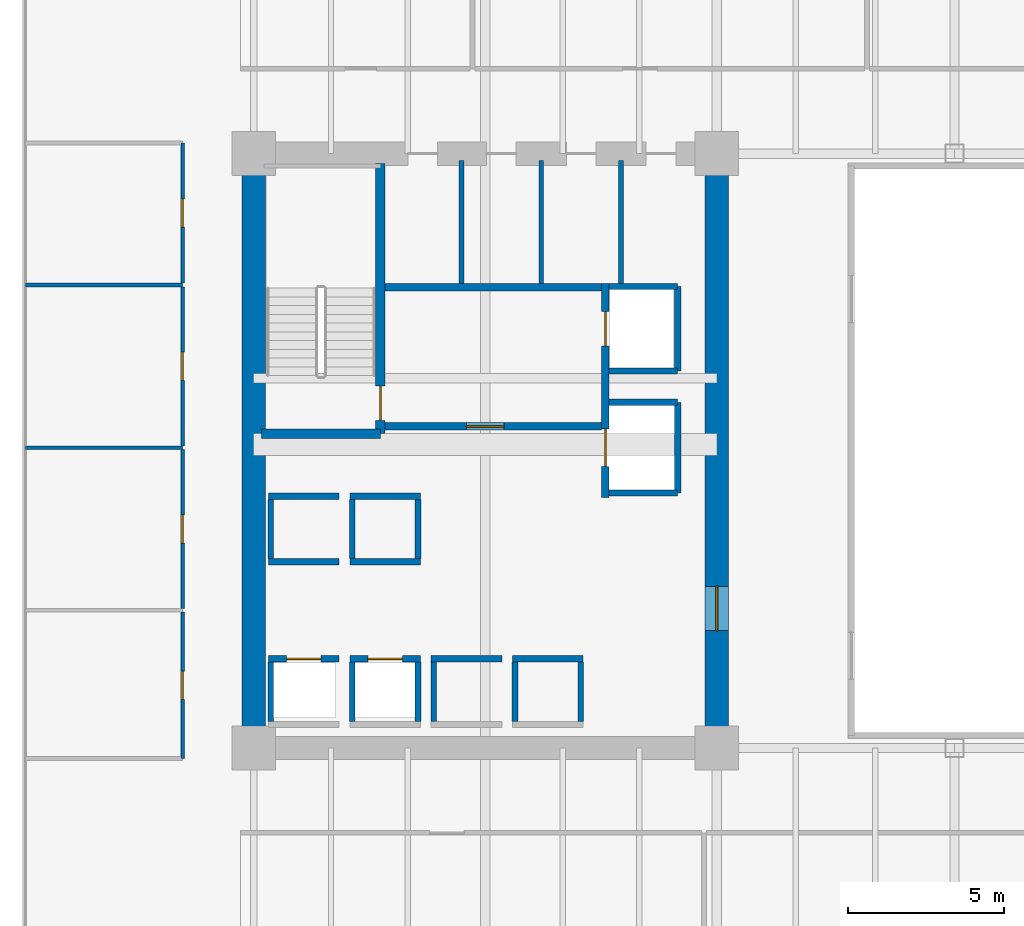
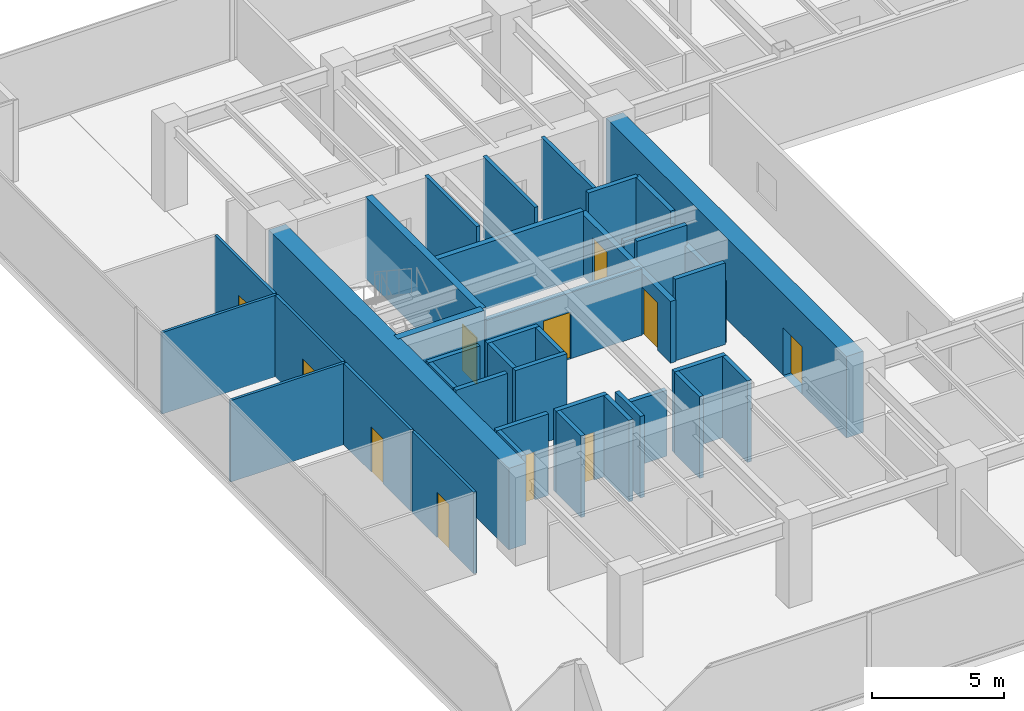
# One storey, part 29 of 36: 39 walls, 11 doors, 11 openings.
"""IFC4 building model written with IfcOpenShell, lengths in metres."""

from ifc_helpers import new_model, si_unit, direction, frame, frame_2d, origin, place, context, subcontext, project, spatial, rectangle, extrude, source, transform, mapped, material, layer, layer_set, type_object, type_shapes, element, fill, save


model = new_model("IFC4")

# Units and contexts
model_context = context("Model", 3, precision=1e-05, world=origin(), true_north=direction((0.0, 1.0)))
body_context = subcontext(model_context, "Body", "Model", "MODEL_VIEW")
ifc_project = project(units=[si_unit("LENGTHUNIT", "METRE"), si_unit("AREAUNIT", "SQUARE_METRE"), si_unit("VOLUMEUNIT", "CUBIC_METRE"), si_unit("PLANEANGLEUNIT", "RADIAN"), si_unit("MASSUNIT", "GRAM", prefix="KILO")], contexts=[model_context])

# Site, building, storey
site_placement = place(None, origin())
site = spatial("IfcSite", under=ifc_project, at=site_placement, CompositionType="ELEMENT")
building_placement = place(site_placement, origin())
building = spatial("IfcBuilding", under=site, at=building_placement, Name="Haelvirn Gate Laboratories", CompositionType="ELEMENT")
storey_placement = place(building_placement, frame((0.0, 0.0, 49.800048828125)))
storey = spatial("IfcBuildingStorey", under=building, at=storey_placement, Name="L12", CompositionType="ELEMENT", Elevation=49.800048828125)

# Wall, opening, door
ifc_material_1 = material(Name="Lightweight acoustic gypsum board partition", Category="gypsum")
ifc_layer_1 = layer(ifc_material_1, 0.1201171875, Name="IW-PART-120")
ifc_layer_set_1 = layer_set([ifc_layer_1], Name="Lightweight acoustic gypsum board partition")
wall_type_1 = type_object("IfcWallType", Name="IW-PART-120", PredefinedType="PARTITIONING", material=ifc_layer_set_1)
wall_1_placement = place(storey_placement, frame((5.1298828125, 14.465087890625, 0.0), z_axis=(0.0, 0.0, 1.0), x_axis=(0.0, 1.0, 0.0)))
wall_1 = element("IfcWall", 1, at=wall_1_placement, inside=storey, type_object=wall_type_1, Name="L12 Interior Wall IW-L12-WPASS-01", PredefinedType="PARTITIONING", context=body_context, shape_type="SweptSolid", body=[
    extrude(rectangle(XDim=4.6748046875, YDim=0.1201171875, at=frame_2d((2.33740234375, 0.0))), origin(), (0.0, 0.0, 1.0), 3.780029296875),
])
opening_1_placement = place(wall_1_placement, frame((1.887451171875, 0.0, 0.0)))
opening_1 = element("IfcOpeningElement", 2, at=opening_1_placement, cuts=wall_1, Name="Opening D4", PredefinedType="OPENING", context=body_context, shape_type="SweptSolid", body=[
    extrude(rectangle(XDim=0.89990234375, YDim=2.10009765625, at=frame_2d((0.449951171875, 1.050048828125))), frame((0.0, 0.070068359375, 0.0), z_axis=(0.0, -1.0, 0.0), x_axis=(1.0, 0.0, 0.0)), (0.0, 0.0, 1.0), 0.14013671875),
])
ifc_material_2 = material(Name="Glazed aluminium-framed write-up door", Category="aluminium")
door_type_1 = type_object("IfcDoorType", Name="DR-OFF-900", OperationType="NOTDEFINED", PredefinedType="DOOR", material=ifc_material_2)
shared_shape_1 = source(origin(), body_context, "Body", "SweptSolid", [
    extrude(rectangle(XDim=0.89990234375, YDim=2.10009765625, at=frame_2d((0.449951171875, 1.050048828125))), frame((0.0, 0.02490234375, 0.0), z_axis=(0.0, -1.0, 0.0), x_axis=(1.0, 0.0, 0.0)), (0.0, 0.0, 1.0), 0.050048828125),
])
type_shapes(door_type_1, [shared_shape_1])
door_1_placement = place(opening_1_placement, origin())
door_1 = element("IfcDoor", 3, at=door_1_placement, inside=storey, type_object=door_type_1, Name="L12 Proteomics Mass-Spec Laboratory Door W1", OperationType="SINGLE_SWING_LEFT", OverallHeight=2.10009765625, OverallWidth=0.89990234375, PredefinedType="DOOR", context=body_context, shape_type="MappedRepresentation", body=[
    mapped(shared_shape_1, transform((0.0, 0.0, 0.0), scale=1.0)),
])
fill(opening_1, door_1)

wall_2_placement = place(storey_placement, frame((5.1298828125, 19.260009765625, 0.0), z_axis=(0.0, 0.0, 1.0), x_axis=(0.0, 1.0, 0.0)))
wall_2 = element("IfcWall", 4, at=wall_2_placement, inside=storey, type_object=wall_type_1, Name="L12 Interior Wall IW-L12-WPASS-02", PredefinedType="PARTITIONING", context=body_context, shape_type="SweptSolid", body=[
    extrude(rectangle(XDim=5.080078125, YDim=0.1201171875, at=frame_2d((2.5400390625, 0.0))), origin(), (0.0, 0.0, 1.0), 3.780029296875),
])
opening_2_placement = place(wall_2_placement, frame((2.090087890625, 0.0, 0.0)))
opening_2 = element("IfcOpeningElement", 5, at=opening_2_placement, cuts=wall_2, Name="Opening D4", PredefinedType="OPENING", context=body_context, shape_type="SweptSolid", body=[
    extrude(rectangle(XDim=0.89990234375, YDim=2.10009765625, at=frame_2d((0.449951171875, 1.050048828125))), frame((0.0, 0.070068359375, 0.0), z_axis=(0.0, -1.0, 0.0), x_axis=(1.0, 0.0, 0.0)), (0.0, 0.0, 1.0), 0.14013671875),
])
door_2_placement = place(opening_2_placement, origin())
door_2 = element("IfcDoor", 6, at=door_2_placement, inside=storey, type_object=door_type_1, Name="L12 Chemical Synthesis Laboratory Door W2", OperationType="SINGLE_SWING_RIGHT", OverallHeight=2.10009765625, OverallWidth=0.89990234375, PredefinedType="DOOR", context=body_context, shape_type="MappedRepresentation", body=[
    mapped(shared_shape_1, transform((0.0, 0.0, 0.0), scale=1.0)),
])
fill(opening_2, door_2)

# Wall
wall_3_placement = place(storey_placement, frame((0.110107421875, 24.39990234375, 0.0), z_axis=(0.0, 0.0, 1.0), x_axis=(1.0, 0.0, 0.0)))
element("IfcWall", 7, at=wall_3_placement, inside=storey, type_object=wall_type_1, Name="L12 Interior Wall IW-L12-WDIV-02", PredefinedType="PARTITIONING", context=body_context, shape_type="SweptSolid", body=[
    extrude(rectangle(XDim=5.019775390625, YDim=0.1201171875, at=frame_2d((2.509765625, 0.0))), origin(), (0.0, 0.0, 1.0), 3.780029296875),
])

# Wall, opening, door
wall_4_placement = place(storey_placement, frame((5.1298828125, 24.4599609375, 0.0), z_axis=(0.0, 0.0, 1.0), x_axis=(0.0, 1.0, 0.0)))
wall_4 = element("IfcWall", 8, at=wall_4_placement, inside=storey, type_object=wall_type_1, Name="L12 Interior Wall IW-L12-WPASS-03", PredefinedType="PARTITIONING", context=body_context, shape_type="SweptSolid", body=[
    extrude(rectangle(XDim=5.080078125, YDim=0.1201171875, at=frame_2d((2.5400390625, 0.0))), origin(), (0.0, 0.0, 1.0), 3.780029296875),
])
opening_3_placement = place(wall_4_placement, frame((2.090087890625, 0.0, 0.0)))
opening_3 = element("IfcOpeningElement", 9, at=opening_3_placement, cuts=wall_4, Name="Opening D4", PredefinedType="OPENING", context=body_context, shape_type="SweptSolid", body=[
    extrude(rectangle(XDim=0.89990234375, YDim=2.10009765625, at=frame_2d((0.449951171875, 1.050048828125))), frame((0.0, 0.070068359375, 0.0), z_axis=(0.0, -1.0, 0.0), x_axis=(1.0, 0.0, 0.0)), (0.0, 0.0, 1.0), 0.14013671875),
])
door_3_placement = place(opening_3_placement, origin())
door_3 = element("IfcDoor", 10, at=door_3_placement, inside=storey, type_object=door_type_1, Name="L12 Bioprocess Foundry Laboratory Door W3", OperationType="SINGLE_SWING_LEFT", OverallHeight=2.10009765625, OverallWidth=0.89990234375, PredefinedType="DOOR", context=body_context, shape_type="MappedRepresentation", body=[
    mapped(shared_shape_1, transform((0.0, 0.0, 0.0), scale=1.0)),
])
fill(opening_3, door_3)

# Wall
wall_5_placement = place(storey_placement, frame((0.110107421875, 29.60009765625, 0.0), z_axis=(0.0, 0.0, 1.0), x_axis=(1.0, 0.0, 0.0)))
element("IfcWall", 11, at=wall_5_placement, inside=storey, type_object=wall_type_1, Name="L12 Interior Wall IW-L12-WDIV-03", PredefinedType="PARTITIONING", context=body_context, shape_type="SweptSolid", body=[
    extrude(rectangle(XDim=5.019775390625, YDim=0.1201171875, at=frame_2d((2.509765625, 0.0))), origin(), (0.0, 0.0, 1.0), 3.780029296875),
])

# Wall, opening, door
wall_6_placement = place(storey_placement, frame((5.1298828125, 29.659912109375, 0.0), z_axis=(0.0, 0.0, 1.0), x_axis=(0.0, 1.0, 0.0)))
wall_6 = element("IfcWall", 12, at=wall_6_placement, inside=storey, type_object=wall_type_1, Name="L12 Interior Wall IW-L12-WPASS-04", PredefinedType="PARTITIONING", context=body_context, shape_type="SweptSolid", body=[
    extrude(rectangle(XDim=4.47509765625, YDim=0.1201171875, at=frame_2d((2.237548828125, 0.0))), origin(), (0.0, 0.0, 1.0), 3.780029296875),
])
opening_4_placement = place(wall_6_placement, frame((1.78759765625, 0.0, 0.0)))
opening_4 = element("IfcOpeningElement", 13, at=opening_4_placement, cuts=wall_6, Name="Opening D4", PredefinedType="OPENING", context=body_context, shape_type="SweptSolid", body=[
    extrude(rectangle(XDim=0.89990234375, YDim=2.10009765625, at=frame_2d((0.449951171875, 1.050048828125))), frame((0.0, 0.070068359375, 0.0), z_axis=(0.0, -1.0, 0.0), x_axis=(1.0, 0.0, 0.0)), (0.0, 0.0, 1.0), 0.14013671875),
])
door_4_placement = place(opening_4_placement, origin())
door_4 = element("IfcDoor", 14, at=door_4_placement, inside=storey, type_object=door_type_1, Name="L12 Genomics Assay Laboratory Door W4", OperationType="SINGLE_SWING_RIGHT", OverallHeight=2.10009765625, OverallWidth=0.89990234375, PredefinedType="DOOR", context=body_context, shape_type="MappedRepresentation", body=[
    mapped(shared_shape_1, transform((0.0, 0.0, 0.0), scale=1.0)),
])
fill(opening_4, door_4)

# Walls
ifc_material_3 = material(Name="Cement-board restroom plumbing chase wall", Category="gypsum")
ifc_layer_2 = layer(ifc_material_3, 0.155029296875, Name="IW-PLUMB-160")
ifc_layer_set_2 = layer_set([ifc_layer_2], Name="Cement-board restroom plumbing chase wall")
wall_type_2 = type_object("IfcWallType", Name="IW-PLUMB-160", PredefinedType="PLUMBINGWALL", material=ifc_layer_set_2)
for number, where, z_axis, x_axis, name in (
    (15, (14.0400390625, 29.64990234375, 0.0), (0.0, 0.0, 1.0), (0.0, 1.0, 0.0), "L12 Interior Wall IW-L12-W-CDIV-1"),
    (16, (16.590087890625, 29.64990234375, 0.0), (0.0, 0.0, 1.0), (0.0, 1.0, 0.0), "L12 Interior Wall IW-L12-W-CDIV-2"),
    (17, (19.139892578125, 29.64990234375, 0.0), (0.0, 0.0, 1.0), (0.0, 1.0, 0.0), "L12 Interior Wall IW-L12-W-CDIV-3"),
):
    element("IfcWall", number, at=place(storey_placement, frame(where, z_axis=z_axis, x_axis=x_axis)), inside=storey, type_object=wall_type_2, Name=name, PredefinedType="PLUMBINGWALL", context=body_context, shape_type="SweptSolid", body=[
        extrude(rectangle(XDim=3.93017578125, YDim=0.155029296875, at=frame_2d((1.965087890625, 0.0))), origin(), (0.0, 0.0, 1.0), 3.780029296875),
    ])
ifc_material_4 = material(Name="Concrete C40/50", Category="concrete")
ifc_layer_3 = layer(ifc_material_4, 0.179931640625, Name="IW-SHAFT-180")
ifc_layer_set_3 = layer_set([ifc_layer_3], Name="Concrete C40/50")
wall_type_3 = type_object("IfcWallType", Name="IW-SHAFT-180", PredefinedType="SOLIDWALL", material=ifc_layer_set_3)
for number, where, z_axis, x_axis, name in (
    (18, (7.949951171875, 15.64990234375, 0.0), (0.0, 0.0, 1.0), (0.0, 1.0, 0.0), "L12 Interior Wall IW-L12-PL1-SD"),
    (19, (10.550048828125, 15.64990234375, 0.0), (0.0, 0.0, 1.0), (0.0, 1.0, 0.0), "L12 Interior Wall IW-L12-PL2-SD"),
    (20, (12.64990234375, 15.64990234375, 0.0), (0.0, 0.0, 1.0), (0.0, 1.0, 0.0), "L12 Interior Wall IW-L12-PL2-SDE"),
    (21, (13.14990234375, 15.64990234375, 0.0), (0.0, 0.0, 1.0), (0.0, 1.0, 0.0), "L12 Interior Wall IW-L12-PL5-SD"),
    (22, (15.75, 15.64990234375, 0.0), (0.0, 0.0, 1.0), (0.0, 1.0, 0.0), "L12 Interior Wall IW-L12-PL6-SD"),
    (23, (17.85009765625, 15.64990234375, 0.0), (0.0, 0.0, 1.0), (0.0, 1.0, 0.0), "L12 Interior Wall IW-L12-PL6-SDE"),
):
    element("IfcWall", number, at=place(storey_placement, frame(where, z_axis=z_axis, x_axis=x_axis)), inside=storey, type_object=wall_type_3, Name=name, PredefinedType="SOLIDWALL", context=body_context, shape_type="SweptSolid", body=[
        extrude(rectangle(XDim=1.900146484375, YDim=0.179931640625, at=frame_2d((0.9501953125, 0.0))), origin(), (0.0, 0.0, 1.0), 3.780029296875),
    ])
for number, where, z_axis, x_axis, name in (
    (24, (7.949951171875, 20.85009765625, 0.0), (0.0, 0.0, 1.0), (0.0, 1.0, 0.0), "L12 Interior Wall IW-L12-PL9-SD"),
    (25, (10.550048828125, 20.85009765625, 0.0), (0.0, 0.0, 1.0), (0.0, 1.0, 0.0), "L12 Interior Wall IW-L12-PL10-SD"),
    (26, (12.64990234375, 20.85009765625, 0.0), (0.0, 0.0, 1.0), (0.0, 1.0, 0.0), "L12 Interior Wall IW-L12-PL10-SDE"),
):
    element("IfcWall", number, at=place(storey_placement, frame(where, z_axis=z_axis, x_axis=x_axis)), inside=storey, type_object=wall_type_3, Name=name, PredefinedType="SOLIDWALL", context=body_context, shape_type="SweptSolid", body=[
        extrude(rectangle(XDim=1.89990234375, YDim=0.179931640625, at=frame_2d((0.949951171875, 0.0))), origin(), (0.0, 0.0, 1.0), 3.780029296875),
    ])

# Wall, opening, door
ifc_layer_4 = layer(ifc_material_4, 0.199951171875, Name="IW-SHAFT-200")
ifc_layer_set_4 = layer_set([ifc_layer_4], Name="Concrete C40/50")
wall_type_4 = type_object("IfcWallType", Name="IW-SHAFT-200", PredefinedType="SOLIDWALL", material=ifc_layer_set_4)
wall_7_placement = place(storey_placement, frame((7.8701171875, 17.64990234375, 0.0), z_axis=(0.0, 0.0, 1.0), x_axis=(1.0, 0.0, 0.0)))
wall_7 = element("IfcWall", 27, at=wall_7_placement, inside=storey, type_object=wall_type_4, Name="L12 Interior Wall IW-L12-PL1-FR", PredefinedType="SOLIDWALL", context=body_context, shape_type="SweptSolid", body=[
    extrude(rectangle(XDim=2.259765625, YDim=0.199951171875, at=frame_2d((1.1298828125, 0.0))), origin(), (0.0, 0.0, 1.0), 3.780029296875),
])
opening_5_placement = place(wall_7_placement, frame((0.580078125, 0.0, 0.0)))
opening_5 = element("IfcOpeningElement", 28, at=opening_5_placement, cuts=wall_7, Name="Opening LD2", PredefinedType="OPENING", context=body_context, shape_type="SweptSolid", body=[
    extrude(rectangle(XDim=1.10009765625, YDim=2.219970703125, at=frame_2d((0.550048828125, 1.10986328125))), frame((0.0, 0.10986328125, 0.0), z_axis=(0.0, -1.0, 0.0), x_axis=(1.0, 0.0, 0.0)), (0.0, 0.0, 1.0), 0.219970703125),
])
ifc_material_5 = material(Name="Bronze stainless 316L sliding lift landing door")
door_type_2 = type_object("IfcDoorType", Name="DR-LD-1100", OperationType="NOTDEFINED", PredefinedType="USERDEFINED", material=ifc_material_5)
shared_shape_2 = source(origin(), body_context, "Body", "SweptSolid", [
    extrude(rectangle(XDim=1.10009765625, YDim=2.219970703125, at=frame_2d((0.550048828125, 1.10986328125))), frame((0.0, 0.02490234375, 0.0), z_axis=(0.0, -1.0, 0.0), x_axis=(1.0, 0.0, 0.0)), (0.0, 0.0, 1.0), 0.050048828125),
])
type_shapes(door_type_2, [shared_shape_2])
door_5_placement = place(opening_5_placement, origin())
door_5 = element("IfcDoor", 29, at=door_5_placement, inside=storey, type_object=door_type_2, Name="L12 Passenger Lift PL1 Landing Door", ObjectType="LANDING_DOOR", OperationType="SLIDING_TO_LEFT", OverallHeight=2.219970703125, OverallWidth=1.10009765625, PredefinedType="USERDEFINED", context=body_context, shape_type="MappedRepresentation", body=[
    mapped(shared_shape_2, transform((0.0, 0.0, 0.0), scale=1.0)),
])
fill(opening_5, door_5)

wall_8_placement = place(storey_placement, frame((10.469970703125, 17.64990234375, 0.0), z_axis=(0.0, 0.0, 1.0), x_axis=(1.0, 0.0, 0.0)))
wall_8 = element("IfcWall", 30, at=wall_8_placement, inside=storey, type_object=wall_type_4, Name="L12 Interior Wall IW-L12-PL2-FR", PredefinedType="SOLIDWALL", context=body_context, shape_type="SweptSolid", body=[
    extrude(rectangle(XDim=2.260009765625, YDim=0.199951171875, at=frame_2d((1.1298828125, 0.0))), origin(), (0.0, 0.0, 1.0), 3.780029296875),
])
opening_6_placement = place(wall_8_placement, frame((0.580078125, 0.0, 0.0)))
opening_6 = element("IfcOpeningElement", 31, at=opening_6_placement, cuts=wall_8, Name="Opening LD2", PredefinedType="OPENING", context=body_context, shape_type="SweptSolid", body=[
    extrude(rectangle(XDim=1.10009765625, YDim=2.219970703125, at=frame_2d((0.550048828125, 1.10986328125))), frame((0.0, 0.10986328125, 0.0), z_axis=(0.0, -1.0, 0.0), x_axis=(1.0, 0.0, 0.0)), (0.0, 0.0, 1.0), 0.219970703125),
])
door_6_placement = place(opening_6_placement, origin())
door_6 = element("IfcDoor", 32, at=door_6_placement, inside=storey, type_object=door_type_2, Name="L12 Passenger Lift PL2 Landing Door", ObjectType="LANDING_DOOR", OperationType="SLIDING_TO_RIGHT", OverallHeight=2.219970703125, OverallWidth=1.10009765625, PredefinedType="USERDEFINED", context=body_context, shape_type="MappedRepresentation", body=[
    mapped(shared_shape_2, transform((0.0, 0.0, 0.0), scale=1.0)),
])
fill(opening_6, door_6)

# Walls
wall_9_placement = place(storey_placement, frame((13.070068359375, 17.64990234375, 0.0), z_axis=(0.0, 0.0, 1.0), x_axis=(1.0, 0.0, 0.0)))
element("IfcWall", 33, at=wall_9_placement, inside=storey, type_object=wall_type_4, Name="L12 Interior Wall IW-L12-PL5-FR", PredefinedType="SOLIDWALL", context=body_context, shape_type="SweptSolid", body=[
    extrude(rectangle(XDim=2.260009765625, YDim=0.199951171875, at=frame_2d((1.1298828125, 0.0))), origin(), (0.0, 0.0, 1.0), 3.06494140625),
])
wall_10_placement = place(storey_placement, frame((15.669921875, 17.64990234375, 0.0), z_axis=(0.0, 0.0, 1.0), x_axis=(1.0, 0.0, 0.0)))
element("IfcWall", 34, at=wall_10_placement, inside=storey, type_object=wall_type_4, Name="L12 Interior Wall IW-L12-PL6-FR", PredefinedType="SOLIDWALL", context=body_context, shape_type="SweptSolid", body=[
    extrude(rectangle(XDim=2.260009765625, YDim=0.199951171875, at=frame_2d((1.1298828125, 0.0))), origin(), (0.0, 0.0, 1.0), 3.780029296875),
])
for number, where, z_axis, x_axis, name in (
    (35, (7.8701171875, 20.75, 0.0), (0.0, 0.0, 1.0), (1.0, 0.0, 0.0), "L12 Interior Wall IW-L12-PL9-FR"),
    (36, (7.8701171875, 22.85009765625, 0.0), (0.0, 0.0, 1.0), (1.0, 0.0, 0.0), "L12 Interior Wall IW-L12-PL9-BK"),
):
    element("IfcWall", number, at=place(storey_placement, frame(where, z_axis=z_axis, x_axis=x_axis)), inside=storey, type_object=wall_type_4, Name=name, PredefinedType="SOLIDWALL", context=body_context, shape_type="SweptSolid", body=[
        extrude(rectangle(XDim=2.259765625, YDim=0.199951171875, at=frame_2d((1.1298828125, 0.0))), origin(), (0.0, 0.0, 1.0), 3.780029296875),
    ])
for number, where, z_axis, x_axis, name in (
    (37, (10.469970703125, 20.75, 0.0), (0.0, 0.0, 1.0), (1.0, 0.0, 0.0), "L12 Interior Wall IW-L12-PL10-FR"),
    (38, (10.469970703125, 22.85009765625, 0.0), (0.0, 0.0, 1.0), (1.0, 0.0, 0.0), "L12 Interior Wall IW-L12-PL10-BK"),
):
    element("IfcWall", number, at=place(storey_placement, frame(where, z_axis=z_axis, x_axis=x_axis)), inside=storey, type_object=wall_type_4, Name=name, PredefinedType="SOLIDWALL", context=body_context, shape_type="SweptSolid", body=[
        extrude(rectangle(XDim=2.260009765625, YDim=0.199951171875, at=frame_2d((1.1298828125, 0.0))), origin(), (0.0, 0.0, 1.0), 3.780029296875),
    ])
wall_11_placement = place(storey_placement, frame((20.949951171875, 26.85009765625, 0.0), z_axis=(0.0, 0.0, 1.0), x_axis=(0.0, 1.0, 0.0)))
element("IfcWall", 39, at=wall_11_placement, inside=storey, type_object=wall_type_4, Name="L12 Interior Wall IW-L12-FL1-BK", PredefinedType="SOLIDWALL", context=body_context, shape_type="SweptSolid", body=[
    extrude(rectangle(XDim=2.699951171875, YDim=0.199951171875, at=frame_2d((1.35009765625, 0.0))), origin(), (0.0, 0.0, 1.0), 3.780029296875),
])
wall_12_placement = place(storey_placement, frame((18.760009765625, 29.550048828125, 0.0), z_axis=(0.0, 0.0, 1.0), x_axis=(1.0, 0.0, 0.0)))
element("IfcWall", 40, at=wall_12_placement, inside=storey, type_object=wall_type_4, Name="L12 Interior Wall IW-L12-FL1-N", PredefinedType="SOLIDWALL", context=body_context, shape_type="SweptSolid", body=[
    extrude(rectangle(XDim=2.18994140625, YDim=0.199951171875, at=frame_2d((1.094970703125, 0.0))), origin(), (0.0, 0.0, 1.0), 3.780029296875),
])
wall_13_placement = place(storey_placement, frame((18.760009765625, 26.85009765625, 0.0), z_axis=(0.0, 0.0, 1.0), x_axis=(1.0, 0.0, 0.0)))
element("IfcWall", 41, at=wall_13_placement, inside=storey, type_object=wall_type_4, Name="L12 Interior Wall IW-L12-FL1-S", PredefinedType="SOLIDWALL", context=body_context, shape_type="SweptSolid", body=[
    extrude(rectangle(XDim=2.18994140625, YDim=0.199951171875, at=frame_2d((1.094970703125, 0.0))), origin(), (0.0, 0.0, 1.0), 3.177001953125),
])
wall_14_placement = place(storey_placement, frame((20.949951171875, 22.949951171875, 0.0), z_axis=(0.0, 0.0, 1.0), x_axis=(0.0, 1.0, 0.0)))
element("IfcWall", 42, at=wall_14_placement, inside=storey, type_object=wall_type_4, Name="L12 Interior Wall IW-L12-SL1-BK", PredefinedType="SOLIDWALL", context=body_context, shape_type="SweptSolid", body=[
    extrude(rectangle(XDim=2.900146484375, YDim=0.199951171875, at=frame_2d((1.4501953125, 0.0))), origin(), (0.0, 0.0, 1.0), 2.864990234375),
])
for number, where, z_axis, x_axis, name in (
    (43, (18.760009765625, 25.85009765625, 0.0), (0.0, 0.0, 1.0), (1.0, 0.0, 0.0), "L12 Interior Wall IW-L12-SL1-N"),
    (44, (18.760009765625, 22.949951171875, 0.0), (0.0, 0.0, 1.0), (1.0, 0.0, 0.0), "L12 Interior Wall IW-L12-SL1-S"),
):
    element("IfcWall", number, at=place(storey_placement, frame(where, z_axis=z_axis, x_axis=x_axis)), inside=storey, type_object=wall_type_4, Name=name, PredefinedType="SOLIDWALL", context=body_context, shape_type="SweptSolid", body=[
        extrude(rectangle(XDim=2.18994140625, YDim=0.199951171875, at=frame_2d((1.094970703125, 0.0))), origin(), (0.0, 0.0, 1.0), 3.780029296875),
    ])

# Wall, opening, door
ifc_layer_5 = layer(ifc_material_4, 0.239990234375, Name="IW-SHAFT-240")
ifc_layer_set_5 = layer_set([ifc_layer_5], Name="Concrete C40/50")
wall_type_5 = type_object("IfcWallType", Name="IW-SHAFT-240", PredefinedType="SOLIDWALL", material=ifc_layer_set_5)
wall_15_placement = place(storey_placement, frame((11.60009765625, 25.080078125, 0.0), z_axis=(0.0, 0.0, 1.0), x_axis=(1.0, 0.0, 0.0)))
wall_15 = element("IfcWall", 45, at=wall_15_placement, inside=storey, type_object=wall_type_5, Name="L12 Interior Wall IW-L12-W-FF-S", PredefinedType="SOLIDWALL", context=body_context, shape_type="SweptSolid", body=[
    extrude(rectangle(XDim=6.919921875, YDim=0.239990234375, at=frame_2d((3.4599609375, 0.0))), origin(), (0.0, 0.0, 1.0), 3.06494140625),
])
opening_7_placement = place(wall_15_placement, frame((2.60009765625, 0.0, 0.0)))
opening_7 = element("IfcOpeningElement", 46, at=opening_7_placement, cuts=wall_15, Name="Opening FD2", PredefinedType="OPENING", context=body_context, shape_type="SweptSolid", body=[
    extrude(rectangle(XDim=1.199951171875, YDim=2.159912109375, at=frame_2d((0.60009765625, 1.080078125))), frame((0.0, 0.1298828125, 0.0), z_axis=(0.0, -1.0, 0.0), x_axis=(1.0, 0.0, 0.0)), (0.0, 0.0, 1.0), 0.260009765625),
])
ifc_material_6 = material(Name="Fire-rated steel SM355 compartment door", Category="steel")
door_type_3 = type_object("IfcDoorType", Name="DR-FD-1200", OperationType="NOTDEFINED", PredefinedType="DOOR", material=ifc_material_6)
shared_shape_3 = source(origin(), body_context, "Body", "SweptSolid", [
    extrude(rectangle(XDim=1.199951171875, YDim=2.159912109375, at=frame_2d((0.60009765625, 1.080078125))), frame((0.0, 0.02490234375, 0.0), z_axis=(0.0, -1.0, 0.0), x_axis=(1.0, 0.0, 0.0)), (0.0, 0.0, 1.0), 0.050048828125),
])
type_shapes(door_type_3, [shared_shape_3])
door_7_placement = place(opening_7_placement, origin())
door_7 = element("IfcDoor", 47, at=door_7_placement, inside=storey, type_object=door_type_3, Name="L12 West Firefighting Lobby Door", OperationType="SINGLE_SWING_RIGHT", OverallHeight=2.159912109375, OverallWidth=1.199951171875, PredefinedType="DOOR", context=body_context, shape_type="MappedRepresentation", body=[
    mapped(shared_shape_3, transform((0.0, 0.0, 0.0), scale=1.0)),
])
fill(opening_7, door_7)

# Wall
wall_16_placement = place(storey_placement, frame((11.60009765625, 29.52001953125, 0.0), z_axis=(0.0, 0.0, 1.0), x_axis=(1.0, 0.0, 0.0)))
element("IfcWall", 48, at=wall_16_placement, inside=storey, type_object=wall_type_5, Name="L12 Interior Wall IW-L12-W-FF-N", PredefinedType="SOLIDWALL", context=body_context, shape_type="SweptSolid", body=[
    extrude(rectangle(XDim=6.919921875, YDim=0.239990234375, at=frame_2d((3.4599609375, 0.0))), origin(), (0.0, 0.0, 1.0), 3.06494140625),
])

# Wall, openings, doors
wall_17_placement = place(storey_placement, frame((18.639892578125, 22.800048828125, 0.0), z_axis=(0.0, 0.0, 1.0), x_axis=(0.0, 1.0, 0.0)))
wall_17 = element("IfcWall", 49, at=wall_17_placement, inside=storey, type_object=wall_type_5, Name="L12 Interior Wall IW-L12-W-FF-E", PredefinedType="SOLIDWALL", context=body_context, shape_type="SweptSolid", body=[
    extrude(rectangle(XDim=6.849853515625, YDim=0.239990234375, at=frame_2d((3.4248046875, 0.0))), origin(), (0.0, 0.0, 1.0), 2.864990234375),
])
opening_8_placement = place(wall_17_placement, frame((4.85009765625, 0.0, 0.0)))
opening_8 = element("IfcOpeningElement", 50, at=opening_8_placement, cuts=wall_17, Name="Opening LD2", PredefinedType="OPENING", context=body_context, shape_type="SweptSolid", body=[
    extrude(rectangle(XDim=1.10009765625, YDim=2.219970703125, at=frame_2d((0.550048828125, 1.10986328125))), frame((0.0, 0.1298828125, 0.0), z_axis=(0.0, -1.0, 0.0), x_axis=(1.0, 0.0, 0.0)), (0.0, 0.0, 1.0), 0.260009765625),
])
opening_9_placement = place(wall_17_placement, frame((1.0, 0.0, 0.0)))
opening_9 = element("IfcOpeningElement", 51, at=opening_9_placement, cuts=wall_17, Name="Opening LD1", PredefinedType="OPENING", context=body_context, shape_type="SweptSolid", body=[
    extrude(rectangle(XDim=1.199951171875, YDim=2.219970703125, at=frame_2d((0.60009765625, 1.10986328125))), frame((0.0, 0.1298828125, 0.0), z_axis=(0.0, -1.0, 0.0), x_axis=(1.0, 0.0, 0.0)), (0.0, 0.0, 1.0), 0.260009765625),
])
door_8_placement = place(opening_8_placement, origin())
door_8 = element("IfcDoor", 52, at=door_8_placement, inside=storey, type_object=door_type_2, Name="L12 Firefighting Lift FL1 Landing Door", ObjectType="LANDING_DOOR", OperationType="SLIDING_TO_LEFT", OverallHeight=2.219970703125, OverallWidth=1.10009765625, PredefinedType="USERDEFINED", context=body_context, shape_type="MappedRepresentation", body=[
    mapped(shared_shape_2, transform((0.0, 0.0, 0.0), scale=1.0)),
])
fill(opening_8, door_8)
ifc_material_7 = material(Name="Stainless steel 316L sliding goods landing door", Category="steel")
door_type_4 = type_object("IfcDoorType", Name="DR-LD-1200", OperationType="NOTDEFINED", PredefinedType="USERDEFINED", material=ifc_material_7)
shared_shape_4 = source(origin(), body_context, "Body", "SweptSolid", [
    extrude(rectangle(XDim=1.199951171875, YDim=2.219970703125, at=frame_2d((0.60009765625, 1.10986328125))), frame((0.0, 0.02490234375, 0.0), z_axis=(0.0, -1.0, 0.0), x_axis=(1.0, 0.0, 0.0)), (0.0, 0.0, 1.0), 0.050048828125),
])
type_shapes(door_type_4, [shared_shape_4])
door_9_placement = place(opening_9_placement, origin())
door_9 = element("IfcDoor", 53, at=door_9_placement, inside=storey, type_object=door_type_4, Name="L12 Service Lift SL1 Landing Door", ObjectType="LANDING_DOOR", OperationType="SLIDING_TO_RIGHT", OverallHeight=2.219970703125, OverallWidth=1.199951171875, PredefinedType="USERDEFINED", context=body_context, shape_type="MappedRepresentation", body=[
    mapped(shared_shape_4, transform((0.0, 0.0, 0.0), scale=1.0)),
])
fill(opening_9, door_9)

# Wall
ifc_material_8 = material(Name="Concrete C70/85", Category="concrete")
ifc_layer_6 = layer(ifc_material_8, 0.75, Name="SW-CORE-750")
ifc_layer_set_6 = layer_set([ifc_layer_6], Name="Concrete C70/85")
wall_type_6 = type_object("IfcWallType", Name="SW-CORE-750", PredefinedType="SHEAR", material=ifc_layer_set_6)
wall_18_placement = place(storey_placement, frame((7.39990234375, 15.175048828125, 0.0), z_axis=(0.0, 0.0, 1.0), x_axis=(0.0, 1.0, 0.0)))
element("IfcWall", 54, at=wall_18_placement, inside=storey, type_object=wall_type_6, Name="L12 W Core Shear Wall W", PredefinedType="SHEAR", context=body_context, shape_type="SweptSolid", body=[
    extrude(rectangle(XDim=18.25, YDim=0.75, at=frame_2d((9.125, 0.0))), origin(), (0.0, 0.0, 1.0), 3.780029296875),
])

# Wall, opening, door
wall_19_placement = place(storey_placement, frame((22.199951171875, 15.175048828125, 0.0), z_axis=(0.0, 0.0, 1.0), x_axis=(0.0, 1.0, 0.0)))
wall_19 = element("IfcWall", 55, at=wall_19_placement, inside=storey, type_object=wall_type_6, Name="L12 W Core Shear Wall E", PredefinedType="SHEAR", context=body_context, shape_type="SweptSolid", body=[
    extrude(rectangle(XDim=18.25, YDim=0.75, at=frame_2d((9.125, 0.0))), origin(), (0.0, 0.0, 1.0), 3.780029296875),
])
opening_10_placement = place(wall_19_placement, frame((3.375, 0.0, 0.0)))
opening_10 = element("IfcOpeningElement", 56, at=opening_10_placement, cuts=wall_19, Name="Opening FD1", PredefinedType="OPENING", context=body_context, shape_type="SweptSolid", body=[
    extrude(rectangle(XDim=1.419921875, YDim=2.199951171875, at=frame_2d((0.7099609375, 1.10009765625))), frame((0.0, 0.385009765625, 0.0), z_axis=(0.0, -1.0, 0.0), x_axis=(1.0, 0.0, 0.0)), (0.0, 0.0, 1.0), 0.77001953125),
])
ifc_material_9 = material(Name="Fire-rated double steel SM355 lobby door", Category="steel")
door_type_5 = type_object("IfcDoorType", Name="DR-FD-1400", OperationType="NOTDEFINED", PredefinedType="DOOR", material=ifc_material_9)
shared_shape_5 = source(origin(), body_context, "Body", "SweptSolid", [
    extrude(rectangle(XDim=1.419921875, YDim=2.199951171875, at=frame_2d((0.7099609375, 1.10009765625))), frame((0.0, 0.02490234375, 0.0), z_axis=(0.0, -1.0, 0.0), x_axis=(1.0, 0.0, 0.0)), (0.0, 0.0, 1.0), 0.050048828125),
])
type_shapes(door_type_5, [shared_shape_5])
door_10_placement = place(opening_10_placement, origin())
door_10 = element("IfcDoor", 57, at=door_10_placement, inside=storey, type_object=door_type_5, Name="L12 West Core Lift Lobby Fire Door", OperationType="DOUBLE_DOOR_SINGLE_SWING", OverallHeight=2.199951171875, OverallWidth=1.419921875, PredefinedType="DOOR", context=body_context, shape_type="MappedRepresentation", body=[
    mapped(shared_shape_5, transform((0.0, 0.0, 0.0), scale=1.0)),
])
fill(opening_10, door_10)

ifc_material_10 = material(Name="Concrete C50/60", Category="concrete")
ifc_layer_7 = layer(ifc_material_10, 0.300048828125, Name="SW-STAIR-300")
ifc_layer_set_7 = layer_set([ifc_layer_7], Name="Concrete C50/60")
wall_type_7 = type_object("IfcWallType", Name="SW-STAIR-300", PredefinedType="SHEAR", material=ifc_layer_set_7)
wall_20_placement = place(storey_placement, frame((11.449951171875, 24.85009765625, 0.0), z_axis=(0.0, 0.0, 1.0), x_axis=(0.0, 1.0, 0.0)))
wall_20 = element("IfcWall", 58, at=wall_20_placement, inside=storey, type_object=wall_type_7, Name="L12 W Core Stair Shaft Structural Wall IN", PredefinedType="SHEAR", context=body_context, shape_type="SweptSolid", body=[
    extrude(rectangle(XDim=8.6298828125, YDim=0.300048828125, at=frame_2d((4.31494140625, 0.0))), origin(), (0.0, 0.0, 1.0), 3.780029296875),
])
opening_11_placement = place(wall_20_placement, frame((0.419921875, 0.0, 0.0)))
opening_11 = element("IfcOpeningElement", 59, at=opening_11_placement, cuts=wall_20, Name="Opening FD3", PredefinedType="OPENING", context=body_context, shape_type="SweptSolid", body=[
    extrude(rectangle(XDim=1.10009765625, YDim=2.14990234375, at=frame_2d((0.550048828125, 1.074951171875))), frame((0.0, 0.16015625, 0.0), z_axis=(0.0, -1.0, 0.0), x_axis=(1.0, 0.0, 0.0)), (0.0, 0.0, 1.0), 0.320068359375),
])
ifc_material_11 = material(Name="Fire-rated steel SM355 escape stair door", Category="steel")
door_type_6 = type_object("IfcDoorType", Name="DR-FD-1100", OperationType="NOTDEFINED", PredefinedType="DOOR", material=ifc_material_11)
shared_shape_6 = source(origin(), body_context, "Body", "SweptSolid", [
    extrude(rectangle(XDim=1.10009765625, YDim=2.14990234375, at=frame_2d((0.550048828125, 1.074951171875))), frame((0.0, 0.02490234375, 0.0), z_axis=(0.0, -1.0, 0.0), x_axis=(1.0, 0.0, 0.0)), (0.0, 0.0, 1.0), 0.050048828125),
])
type_shapes(door_type_6, [shared_shape_6])
door_11_placement = place(opening_11_placement, origin())
door_11 = element("IfcDoor", 60, at=door_11_placement, inside=storey, type_object=door_type_6, Name="L12 Escape Stair ST1 Fire Door", OperationType="SINGLE_SWING_LEFT", OverallHeight=2.14990234375, OverallWidth=1.10009765625, PredefinedType="DOOR", context=body_context, shape_type="MappedRepresentation", body=[
    mapped(shared_shape_6, transform((0.0, 0.0, 0.0), scale=1.0)),
])
fill(opening_11, door_11)

# Wall
wall_21_placement = place(storey_placement, frame((7.64990234375, 24.85009765625, 0.0), z_axis=(0.0, 0.0, 1.0), x_axis=(1.0, 0.0, 0.0)))
element("IfcWall", 61, at=wall_21_placement, inside=storey, type_object=wall_type_7, Name="L12 W Core Stair Shaft Structural Wall S", PredefinedType="SHEAR", context=body_context, shape_type="SweptSolid", body=[
    extrude(rectangle(XDim=3.800048828125, YDim=0.300048828125, at=frame_2d((1.89990234375, 0.0))), origin(), (0.0, 0.0, 1.0), 3.780029296875),
])

save(model, "model.ifc")
